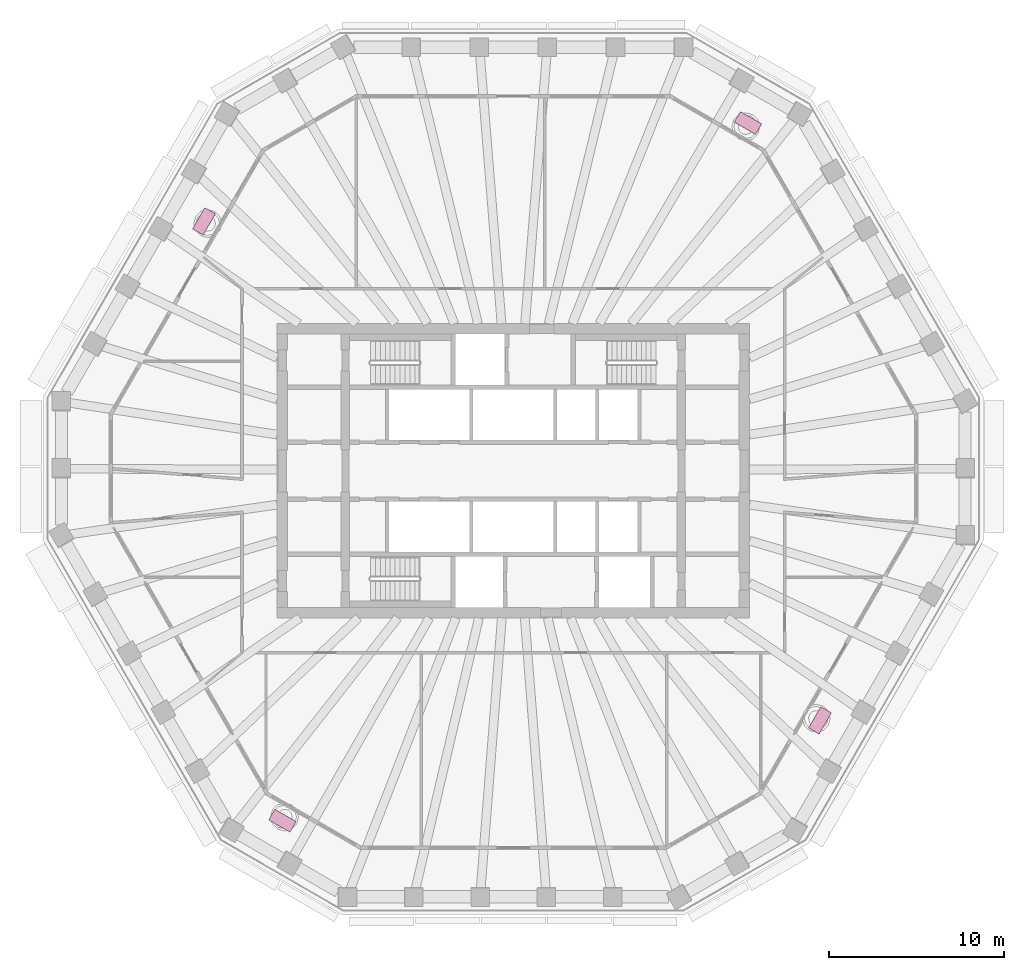
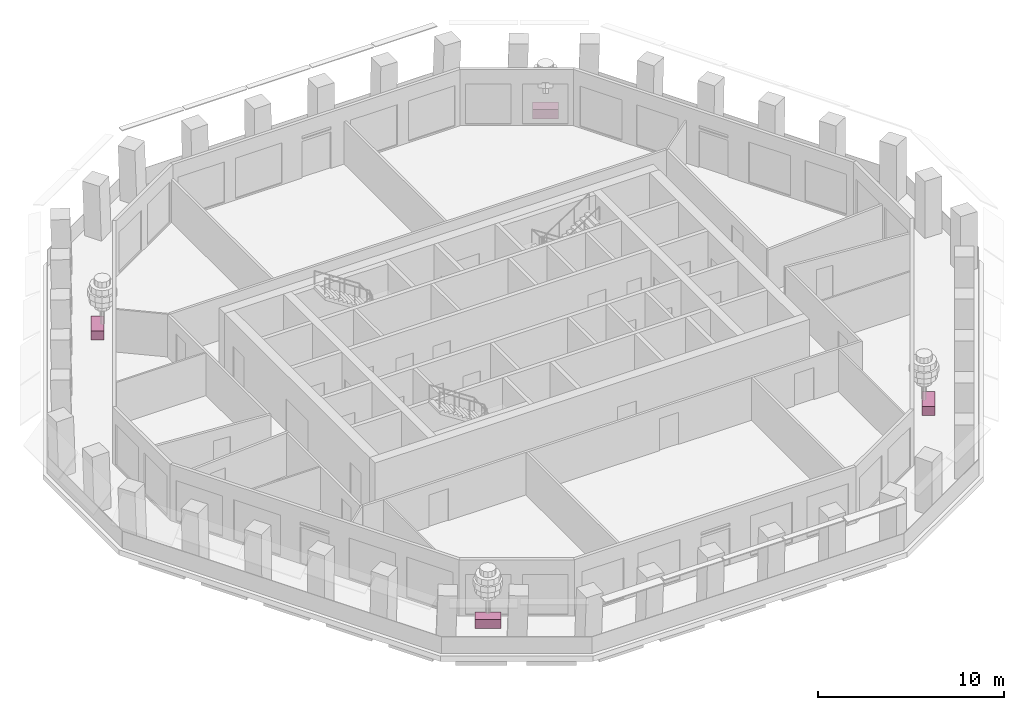
# One storey, part 11 of 12: 4 furniture elements.
"""IFC4 building model written with IfcOpenShell, lengths in metres."""

from ifc_helpers import new_model, si_unit, direction, frame, origin, origin_2d, place, context, subcontext, project, spatial, rectangle, extrude, material, type_object, element, save


model = new_model("IFC4")

# Units and contexts
model_context = context("Model", 3, precision=1e-05, world=origin(), true_north=direction((0.0, 1.0)))
body_context = subcontext(model_context, "Body", "Model", "MODEL_VIEW")
ifc_project = project(units=[si_unit("LENGTHUNIT", "METRE"), si_unit("AREAUNIT", "SQUARE_METRE"), si_unit("VOLUMEUNIT", "CUBIC_METRE"), si_unit("PLANEANGLEUNIT", "RADIAN"), si_unit("MASSUNIT", "GRAM", prefix="KILO")], contexts=[model_context])

# Site, building, storey
site_placement = place(None, origin())
site = spatial("IfcSite", under=ifc_project, at=site_placement, CompositionType="ELEMENT")
building_placement = place(site_placement, origin())
building = spatial("IfcBuilding", under=site, at=building_placement, Name="Frailejon Research Tower", CompositionType="ELEMENT")
storey_placement = place(building_placement, frame((0.0, 0.0, 215.39990234375)))
storey = spatial("IfcBuildingStorey", under=building, at=storey_placement, Name="L46", CompositionType="ELEMENT", Elevation=215.39990234375)

# Furniture
ifc_material = material(Name="Precast concrete C30/37 planter, terracotta", Category="masonry")
furniture_type = type_object("IfcFurnitureType", Name="Loggia planter 1400x700", AssemblyPlace="NOTDEFINED", PredefinedType="USERDEFINED", material=ifc_material)
for number, where, z_axis, x_axis, name in (
    (1, (13.406005859375, 19.865478515625, 0.0), (0.0, 0.0, 1.0), (-0.866025403784, 0.5, 0.0), "Planter L46"),
    (2, (-17.669921875, 14.246337890625, 0.0), (0.0, 0.0, 1.0), (-0.5, -0.866025403784, 0.0), "Planter L46"),
    (3, (-13.1884765625, -19.9912109375, 0.0), (0.0, 0.0, 1.0), (0.866025403784, -0.5, 0.0), "Planter L46"),
    (4, (17.517333984375, -14.259033203125, 0.0), (0.0, 0.0, 1.0), (0.5, 0.866025403784, 0.0), "Planter L46"),
):
    element("IfcFurniture", number, at=place(storey_placement, frame(where, z_axis=z_axis, x_axis=x_axis)), inside=storey, type_object=furniture_type, Name=name, ObjectType="PLANTER", PredefinedType="USERDEFINED", context=body_context, shape_type="SweptSolid", body=[
        extrude(rectangle(XDim=1.39990234375, YDim=0.699951171875, at=origin_2d()), origin(), (0.0, 0.0, 1.0), 0.60009765625),
    ])

save(model, "model.ifc")
